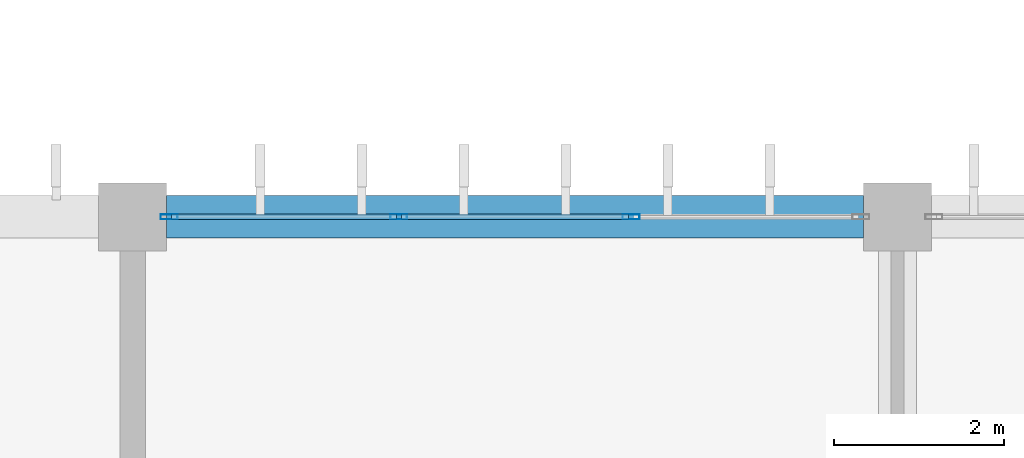
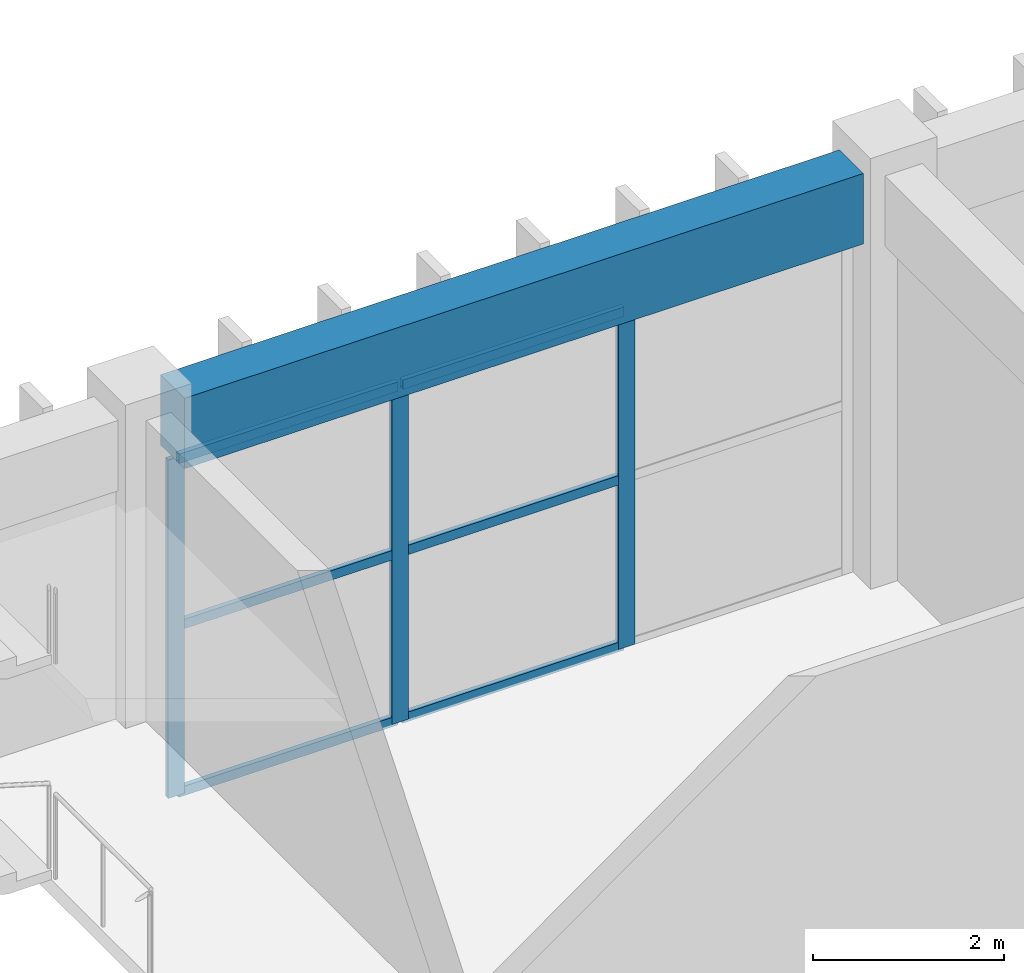
# One storey, part 79 of 185: 9 members, 1 beam, 1 element without a shape of its own.
"""IFC4 building model written with IfcOpenShell, lengths in metres."""

from ifc_helpers import new_model, si_unit, direction, frame, origin, origin_2d, place, context, subcontext, project, spatial, rectangle, hollow_rectangle, extrude, material, layer, layer_set, material_profile, profile_set, type_object, element, aggregate, save


model = new_model("IFC4")

# Units and contexts
model_context = context("Model", 3, precision=1e-05, world=origin(), true_north=direction((0.0, 1.0)))
body_context = subcontext(model_context, "Body", "Model", "MODEL_VIEW")
ifc_project = project(units=[si_unit("LENGTHUNIT", "METRE"), si_unit("AREAUNIT", "SQUARE_METRE"), si_unit("VOLUMEUNIT", "CUBIC_METRE"), si_unit("PLANEANGLEUNIT", "RADIAN"), si_unit("MASSUNIT", "GRAM", prefix="KILO")], contexts=[model_context])

# Site, building, storey
site_placement = place(None, origin())
site = spatial("IfcSite", under=ifc_project, at=site_placement, CompositionType="ELEMENT")
building_placement = place(site_placement, origin())
building = spatial("IfcBuilding", under=site, at=building_placement, Name="Opaline Strait Convention Centre", CompositionType="ELEMENT")
storey_placement = place(building_placement, frame((0.0, 0.0, 6.0)))
storey = spatial("IfcBuildingStorey", under=building, at=storey_placement, Name="L01", CompositionType="ELEMENT", Elevation=6.0)

# Curtain wall, members
ifc_material_1 = material(Name="Aluminium framed double glazing", Category="aluminium")
ifc_layer = layer(ifc_material_1, 0.199951171875)
ifc_layer_set = layer_set([ifc_layer], Name="Aluminium framed double glazing")
curtain_wall_type = type_object("IfcCurtainWallType", Name="Curtain wall 3000 module unitised", PredefinedType="NOTDEFINED", material=ifc_layer_set)
curtain_wall_placement = place(storey_placement, origin())
curtain_wall = element("IfcCurtainWall", 1, at=curtain_wall_placement, inside=storey, type_object=curtain_wall_type, Name="Curtain wall N L01 35/W", PredefinedType="NOTDEFINED")
ifc_material_2 = material(Name="Aluminium alloy 6063", Category="aluminium")
ifc_material_profile_1 = material_profile(ifc_material_2, hollow_rectangle(XDim=0.06005859375, YDim=0.199951171875, WallThickness=0.00390625, at=origin_2d()), Name="MULLION 60x200x4")
ifc_profile_set_1 = profile_set([ifc_material_profile_1], Name="Aluminium alloy 6063")
member_type_1 = type_object("IfcMemberType", Name="Curtain wall mullion 60 x 200", PredefinedType="MULLION", material=ifc_profile_set_1)
member_1_placement = place(storey_placement, frame((306.429931640625, 180.0, 0.0), z_axis=(0.0, 0.0, 1.0), x_axis=(0.0, 1.0, 0.0)))
member_1 = element("IfcMember", 2, at=member_1_placement, type_object=member_type_1, Name="MCWR1 mullion 1", PredefinedType="MULLION", context=body_context, shape_type="SweptSolid", body=[
    extrude(hollow_rectangle(XDim=0.06005859375, YDim=0.199951171875, WallThickness=0.00390625, at=origin_2d()), origin(), (0.0, 0.0, 1.0), 4.320068359375),
])
member_2_placement = place(storey_placement, frame((309.13330078125, 180.0, 0.0), z_axis=(0.0, 0.0, 1.0), x_axis=(0.0, 1.0, 0.0)))
member_2 = element("IfcMember", 3, at=member_2_placement, type_object=member_type_1, Name="MCWR1 mullion 2", PredefinedType="MULLION", context=body_context, shape_type="SweptSolid", body=[
    extrude(hollow_rectangle(XDim=0.06005859375, YDim=0.199951171875, WallThickness=0.00390625, at=origin_2d()), origin(), (0.0, 0.0, 1.0), 4.320068359375),
])
member_3_placement = place(storey_placement, frame((311.86669921875, 180.0, 0.0), z_axis=(0.0, 0.0, 1.0), x_axis=(0.0, 1.0, 0.0)))
member_3 = element("IfcMember", 4, at=member_3_placement, type_object=member_type_1, Name="MCWR1 mullion 3", PredefinedType="MULLION", context=body_context, shape_type="SweptSolid", body=[
    extrude(hollow_rectangle(XDim=0.06005859375, YDim=0.199951171875, WallThickness=0.00390625, at=origin_2d()), origin(), (0.0, 0.0, 1.0), 4.320068359375),
])
ifc_material_profile_2 = material_profile(ifc_material_2, hollow_rectangle(XDim=0.06005859375, YDim=0.1201171875, WallThickness=0.0029296875, at=origin_2d()), Name="TRANSOM 60x120x3")
ifc_profile_set_2 = profile_set([ifc_material_profile_2], Name="Aluminium alloy 6063")
member_type_2 = type_object("IfcMemberType", Name="Curtain wall transom 60 x 120", PredefinedType="USERDEFINED", material=ifc_profile_set_2)
member_4_placement = place(storey_placement, frame((306.4599609375, 180.0, 0.030029296875), z_axis=(1.0, 0.0, 0.0), x_axis=(0.0, 1.0, 0.0)))
member_4 = element("IfcMember", 5, at=member_4_placement, type_object=member_type_2, Name="MCWR1 transom 1.1", ObjectType="TRANSOM", PredefinedType="USERDEFINED", context=body_context, shape_type="SweptSolid", body=[
    extrude(hollow_rectangle(XDim=0.06005859375, YDim=0.1201171875, WallThickness=0.0029296875, at=origin_2d()), origin(), (0.0, 0.0, 1.0), 2.643310546875),
])
member_5_placement = place(storey_placement, frame((306.4599609375, 180.0, 2.159912109375), z_axis=(1.0, 0.0, 0.0), x_axis=(0.0, 1.0, 0.0)))
member_5 = element("IfcMember", 6, at=member_5_placement, type_object=member_type_2, Name="MCWR1 transom 1.2", ObjectType="TRANSOM", PredefinedType="USERDEFINED", context=body_context, shape_type="SweptSolid", body=[
    extrude(hollow_rectangle(XDim=0.06005859375, YDim=0.1201171875, WallThickness=0.0029296875, at=origin_2d()), origin(), (0.0, 0.0, 1.0), 2.643310546875),
])
member_6_placement = place(storey_placement, frame((306.4599609375, 180.0, 4.2900390625), z_axis=(1.0, 0.0, 0.0), x_axis=(0.0, 1.0, 0.0)))
member_6 = element("IfcMember", 7, at=member_6_placement, type_object=member_type_2, Name="MCWR1 transom 1.3", ObjectType="TRANSOM", PredefinedType="USERDEFINED", context=body_context, shape_type="SweptSolid", body=[
    extrude(hollow_rectangle(XDim=0.06005859375, YDim=0.1201171875, WallThickness=0.0029296875, at=origin_2d()), origin(), (0.0, 0.0, 1.0), 2.643310546875),
])
member_7_placement = place(storey_placement, frame((309.163330078125, 180.0, 0.030029296875), z_axis=(1.0, 0.0, 0.0), x_axis=(0.0, 1.0, 0.0)))
member_7 = element("IfcMember", 8, at=member_7_placement, type_object=member_type_2, Name="MCWR1 transom 2.1", ObjectType="TRANSOM", PredefinedType="USERDEFINED", context=body_context, shape_type="SweptSolid", body=[
    extrude(hollow_rectangle(XDim=0.06005859375, YDim=0.1201171875, WallThickness=0.0029296875, at=origin_2d()), origin(), (0.0, 0.0, 1.0), 2.67333984375),
])
member_8_placement = place(storey_placement, frame((309.163330078125, 180.0, 2.159912109375), z_axis=(1.0, 0.0, 0.0), x_axis=(0.0, 1.0, 0.0)))
member_8 = element("IfcMember", 9, at=member_8_placement, type_object=member_type_2, Name="MCWR1 transom 2.2", ObjectType="TRANSOM", PredefinedType="USERDEFINED", context=body_context, shape_type="SweptSolid", body=[
    extrude(hollow_rectangle(XDim=0.06005859375, YDim=0.1201171875, WallThickness=0.0029296875, at=origin_2d()), origin(), (0.0, 0.0, 1.0), 2.67333984375),
])
member_9_placement = place(storey_placement, frame((309.163330078125, 180.0, 4.2900390625), z_axis=(1.0, 0.0, 0.0), x_axis=(0.0, 1.0, 0.0)))
member_9 = element("IfcMember", 10, at=member_9_placement, type_object=member_type_2, Name="MCWR1 transom 2.3", ObjectType="TRANSOM", PredefinedType="USERDEFINED", context=body_context, shape_type="SweptSolid", body=[
    extrude(hollow_rectangle(XDim=0.06005859375, YDim=0.1201171875, WallThickness=0.0029296875, at=origin_2d()), origin(), (0.0, 0.0, 1.0), 2.67333984375),
])
aggregate(curtain_wall, [member_1, member_2, member_3, member_4, member_5, member_6, member_7, member_8, member_9])

# Beam
ifc_material_3 = material(Name="Concrete C35", Category="concrete")
ifc_material_profile_3 = material_profile(ifc_material_3, rectangle(XDim=0.5, YDim=0.89990234375, at=origin_2d()), Name="RC 500x900")
ifc_profile_set_3 = profile_set([ifc_material_profile_3], Name="Concrete C35")
beam_type = type_object("IfcBeamType", Name="RC edge beam 500x900 C35", PredefinedType="BEAM", material=ifc_profile_set_3)
beam_placement = place(storey_placement, frame((306.39990234375, 180.0, 4.77001953125), z_axis=(1.0, 0.0, 0.0), x_axis=(0.0, 1.0, 0.0)))
element("IfcBeam", 11, at=beam_placement, inside=storey, type_object=beam_type, Name="MRB2 L01 35/W-36/W", PredefinedType="BEAM", context=body_context, shape_type="SweptSolid", body=[
    extrude(rectangle(XDim=0.5, YDim=0.89990234375, at=origin_2d()), origin(), (0.0, 0.0, 1.0), 8.2001953125),
])

save(model, "model.ifc")
